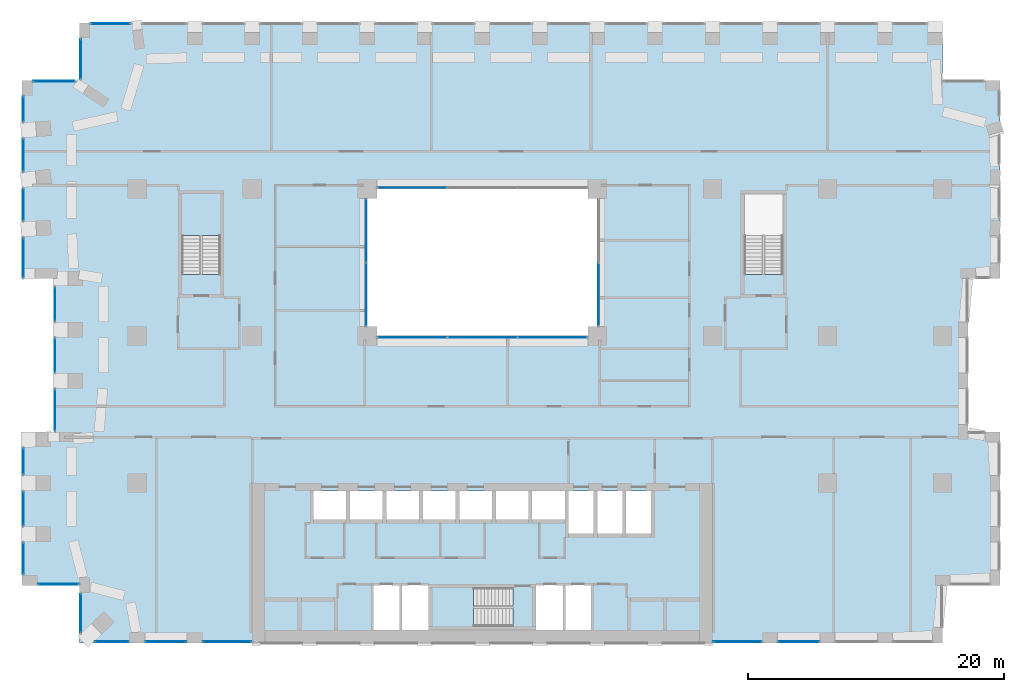
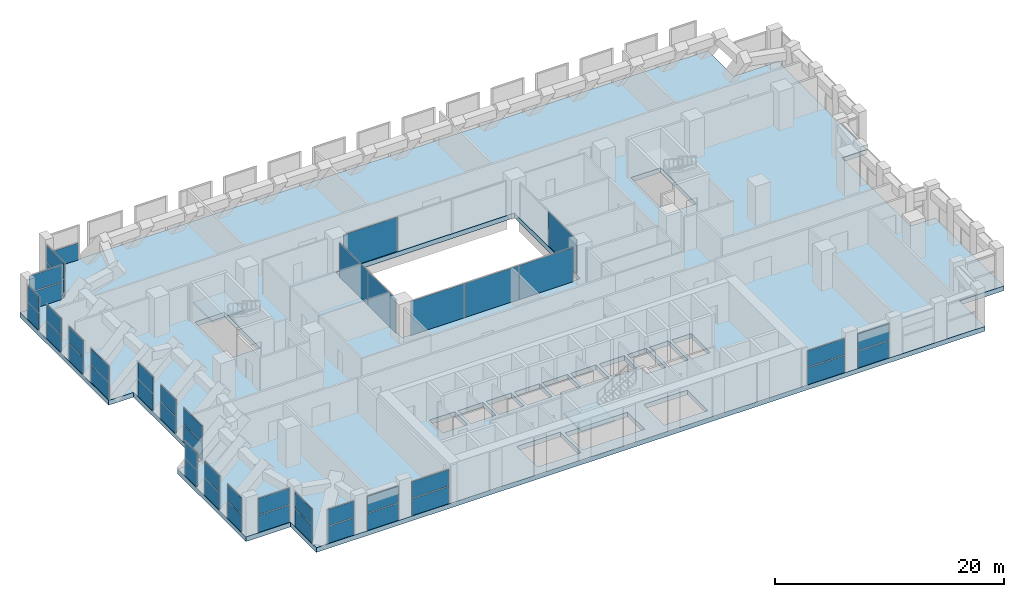
# One storey, part 12 of 20: 46 plates, 3 slabs, 26 elements without a shape of their own.
"""IFC4 building model written with IfcOpenShell, lengths in metres."""

from ifc_helpers import new_model, si_unit, direction, frame, origin, origin_2d, place, context, subcontext, project, spatial, polyline, rectangle, outline, extrude, material, layer, layer_set, type_object, element, aggregate, save


model = new_model("IFC4")

# Units and contexts
model_context = context("Model", 3, precision=1e-05, world=origin(), true_north=direction((0.0, 1.0)))
body_context = subcontext(model_context, "Body", "Model", "MODEL_VIEW")
ifc_project = project(units=[si_unit("LENGTHUNIT", "METRE"), si_unit("AREAUNIT", "SQUARE_METRE"), si_unit("VOLUMEUNIT", "CUBIC_METRE"), si_unit("PLANEANGLEUNIT", "RADIAN"), si_unit("MASSUNIT", "GRAM", prefix="KILO")], contexts=[model_context])

# Site, building, storey
site_placement = place(None, origin())
site = spatial("IfcSite", under=ifc_project, at=site_placement, CompositionType="ELEMENT")
building_placement = place(site_placement, origin())
building = spatial("IfcBuilding", under=site, at=building_placement, Name="Brigalow Station Residences", CompositionType="ELEMENT")
storey_placement = place(building_placement, frame((0.0, 0.0, 73.050048828125)))
storey = spatial("IfcBuildingStorey", under=building, at=storey_placement, Name="L21", CompositionType="ELEMENT", Elevation=73.050048828125)

# Curtain wall, plates
ifc_material_1 = material(Name="Aluminium", Category="aluminium")
ifc_layer_1 = layer(ifc_material_1, 0.14990234375)
ifc_layer_set_1 = layer_set([ifc_layer_1], Name="ATRIUM FIRE-RATED GLAZING CURTAIN WALL")
curtain_wall_type_1 = type_object("IfcCurtainWallType", Name="ATRIUM FIRE-RATED GLAZING CURTAIN WALL", PredefinedType="NOTDEFINED", material=ifc_layer_set_1)
curtain_wall_1_placement = place(storey_placement, origin())
curtain_wall_1 = element("IfcCurtainWall", 1, at=curtain_wall_1_placement, inside=storey, type_object=curtain_wall_type_1, Name="L21/cw/atrium-S", PredefinedType="NOTDEFINED")
ifc_material_2 = material(Name="Fire-resisting laminated glazing, FRL -/60/-", Category="glass")
ifc_layer_2 = layer(ifc_material_2, 0.031982421875)
ifc_layer_set_2 = layer_set([ifc_layer_2], Name="ATRIUM FIRE-RATED GLAZING PANEL 32")
plate_type_1 = type_object("IfcPlateType", Name="ATRIUM FIRE-RATED GLAZING PANEL 32", PredefinedType="CURTAIN_PANEL", material=ifc_layer_set_2)
plate_1_placement = place(storey_placement, frame((30.514892578125, 23.89990234375, 0.0), z_axis=(0.0, 0.0, 1.0), x_axis=(1.0, 0.0, 0.0)))
plate_1 = element("IfcPlate", 2, at=plate_1_placement, type_object=plate_type_1, Name="L21/cw/atrium-S/P00-00", PredefinedType="CURTAIN_PANEL", context=body_context, shape_type="SweptSolid", body=[
    extrude(rectangle(XDim=5.409912109375, YDim=0.031982421875, at=origin_2d()), origin(), (0.0, 0.0, 1.0), 3.639892578125),
])
plate_2_placement = place(storey_placement, frame((36.0, 23.89990234375, 0.0), z_axis=(0.0, 0.0, 1.0), x_axis=(1.0, 0.0, 0.0)))
plate_2 = element("IfcPlate", 3, at=plate_2_placement, type_object=plate_type_1, Name="L21/cw/atrium-S/P01-00", PredefinedType="CURTAIN_PANEL", context=body_context, shape_type="SweptSolid", body=[
    extrude(rectangle(XDim=5.43994140625, YDim=0.031982421875, at=origin_2d()), origin(), (0.0, 0.0, 1.0), 3.639892578125),
])
plate_3_placement = place(storey_placement, frame((41.485107421875, 23.89990234375, 0.0), z_axis=(0.0, 0.0, 1.0), x_axis=(1.0, 0.0, 0.0)))
plate_3 = element("IfcPlate", 4, at=plate_3_placement, type_object=plate_type_1, Name="L21/cw/atrium-S/P02-00", PredefinedType="CURTAIN_PANEL", context=body_context, shape_type="SweptSolid", body=[
    extrude(rectangle(XDim=5.409912109375, YDim=0.031982421875, at=origin_2d()), origin(), (0.0, 0.0, 1.0), 3.639892578125),
])
aggregate(curtain_wall_1, [plate_1, plate_2, plate_3])

# Curtain wall, plate
curtain_wall_2_placement = place(storey_placement, origin())
curtain_wall_2 = element("IfcCurtainWall", 5, at=curtain_wall_2_placement, inside=storey, type_object=curtain_wall_type_1, Name="L21/cw/atrium-E", PredefinedType="NOTDEFINED")
plate_4_placement = place(storey_placement, frame((45.10009765625, 27.264892578125, 0.0), z_axis=(0.0, 0.0, 1.0), x_axis=(0.0, 1.0, 0.0)))
plate_4 = element("IfcPlate", 6, at=plate_4_placement, type_object=plate_type_1, Name="L21/cw/atrium-E/P00-00", PredefinedType="CURTAIN_PANEL", context=body_context, shape_type="SweptSolid", body=[
    extrude(rectangle(XDim=4.909912109375, YDim=0.031982421875, at=origin_2d()), origin(), (0.0, 0.0, 1.0), 3.639892578125),
])
aggregate(curtain_wall_2, [plate_4])

curtain_wall_3_placement = place(storey_placement, origin())
curtain_wall_3 = element("IfcCurtainWall", 7, at=curtain_wall_3_placement, inside=storey, type_object=curtain_wall_type_1, Name="L21/cw/atrium-N", PredefinedType="NOTDEFINED")
plate_5_placement = place(storey_placement, frame((30.514892578125, 35.60009765625, 0.0), z_axis=(0.0, 0.0, 1.0), x_axis=(-1.0, 0.0, 0.0)))
plate_5 = element("IfcPlate", 8, at=plate_5_placement, type_object=plate_type_1, Name="L21/cw/atrium-N/P02-00", PredefinedType="CURTAIN_PANEL", context=body_context, shape_type="SweptSolid", body=[
    extrude(rectangle(XDim=5.409912109375, YDim=0.031982421875, at=origin_2d()), origin(), (0.0, 0.0, 1.0), 3.639892578125),
])
aggregate(curtain_wall_3, [plate_5])

# Curtain wall, plates
curtain_wall_4_placement = place(storey_placement, origin())
curtain_wall_4 = element("IfcCurtainWall", 9, at=curtain_wall_4_placement, inside=storey, type_object=curtain_wall_type_1, Name="L21/cw/atrium-W", PredefinedType="NOTDEFINED")
plate_6_placement = place(storey_placement, frame((26.89990234375, 32.235107421875, 0.0), z_axis=(0.0, 0.0, 1.0), x_axis=(0.0, -1.0, 0.0)))
plate_6 = element("IfcPlate", 10, at=plate_6_placement, type_object=plate_type_1, Name="L21/cw/atrium-W/P00-00", PredefinedType="CURTAIN_PANEL", context=body_context, shape_type="SweptSolid", body=[
    extrude(rectangle(XDim=4.909912109375, YDim=0.031982421875, at=origin_2d()), origin(), (0.0, 0.0, 1.0), 3.639892578125),
])
plate_7_placement = place(storey_placement, frame((26.89990234375, 27.264892578125, 0.0), z_axis=(0.0, 0.0, 1.0), x_axis=(0.0, -1.0, 0.0)))
plate_7 = element("IfcPlate", 11, at=plate_7_placement, type_object=plate_type_1, Name="L21/cw/atrium-W/P01-00", PredefinedType="CURTAIN_PANEL", context=body_context, shape_type="SweptSolid", body=[
    extrude(rectangle(XDim=4.909912109375, YDim=0.031982421875, at=origin_2d()), origin(), (0.0, 0.0, 1.0), 3.639892578125),
])
aggregate(curtain_wall_4, [plate_6, plate_7])

# Slab
ifc_material_3 = material(Name="Concrete C50", Category="concrete")
ifc_layer_3 = layer(ifc_material_3, 0.5)
ifc_layer_set_3 = layer_set([ifc_layer_3], Name="POST-TENSIONED REFUGE PLATE 500 C50")
slab_type_1 = type_object("IfcSlabType", Name="POST-TENSIONED REFUGE PLATE 500 C50", PredefinedType="FLOOR", material=ifc_layer_set_3)
slab_1_placement = place(storey_placement, frame((0.0, 0.0, -0.5)))
element("IfcSlab", 12, at=slab_1_placement, inside=storey, type_object=slab_type_1, Name="FLOOR SLAB L21", PredefinedType="FLOOR", context=body_context, shape_type="SweptSolid", body=[
    extrude(outline(polyline([(4.5, 0.0), (72.0, 0.0), (72.0, 4.5), (76.5, 4.5), (76.5, 16.5), (74.0, 16.5), (74.0, 28.5), (76.5, 28.5), (76.5, 44.0), (72.0, 44.0), (72.0, 48.5), (4.5, 48.5), (4.5, 44.0), (0.0, 44.0), (0.0, 28.5), (2.5, 28.5), (2.5, 16.5), (0.0, 16.5), (0.0, 4.5), (4.5, 4.5), (4.5, 0.0)]), holes=[polyline([(15.4951171875, 35.094970703125), (15.4951171875, 28.804931640625), (12.5048828125, 28.804931640625), (12.5048828125, 35.094970703125), (15.4951171875, 35.094970703125)]), polyline([(22.800048828125, 11.89990234375), (25.35009765625, 11.89990234375), (25.35009765625, 9.64990234375), (22.800048828125, 9.64990234375), (22.800048828125, 11.89990234375)]), polyline([(25.64990234375, 11.89990234375), (28.199951171875, 11.89990234375), (28.199951171875, 9.64990234375), (25.64990234375, 9.64990234375), (25.64990234375, 11.89990234375)]), polyline([(28.5, 11.89990234375), (31.050048828125, 11.89990234375), (31.050048828125, 9.64990234375), (28.5, 9.64990234375), (28.5, 11.89990234375)]), polyline([(29.60009765625, 1.0), (27.39990234375, 1.0), (27.39990234375, 4.60009765625), (29.60009765625, 4.60009765625), (31.800048828125, 4.60009765625), (31.800048828125, 1.0), (29.60009765625, 1.0)]), polyline([(31.35009765625, 11.89990234375), (33.89990234375, 11.89990234375), (33.89990234375, 9.64990234375), (31.35009765625, 9.64990234375), (31.35009765625, 11.89990234375)]), polyline([(32.10498046875, 4.294921875), (38.39501953125, 4.294921875), (38.39501953125, 1.304931640625), (32.10498046875, 1.304931640625), (32.10498046875, 4.294921875)]), polyline([(36.75, 11.89990234375), (36.75, 9.64990234375), (34.199951171875, 9.64990234375), (34.199951171875, 11.89990234375), (36.75, 11.89990234375)]), polyline([(37.050048828125, 11.89990234375), (39.60009765625, 11.89990234375), (39.60009765625, 9.64990234375), (37.050048828125, 9.64990234375), (37.050048828125, 11.89990234375)]), polyline([(39.89990234375, 11.89990234375), (42.449951171875, 11.89990234375), (42.449951171875, 9.64990234375), (39.89990234375, 9.64990234375), (39.89990234375, 11.89990234375)]), polyline([(42.39990234375, 1.0), (40.199951171875, 1.0), (40.199951171875, 4.60009765625), (42.39990234375, 4.60009765625), (44.60009765625, 4.60009765625), (44.60009765625, 1.0), (42.39990234375, 1.0)]), polyline([(42.75, 11.89990234375), (44.699951171875, 11.89990234375), (44.699951171875, 8.550048828125), (42.75, 8.550048828125), (42.75, 11.89990234375)]), polyline([(45.0, 11.89990234375), (46.949951171875, 11.89990234375), (46.949951171875, 8.550048828125), (45.0, 8.550048828125), (45.0, 11.89990234375)]), polyline([(45.0, 35.5), (45.0, 24.0), (27.0, 24.0), (27.0, 35.5), (45.0, 35.5)]), polyline([(47.25, 11.89990234375), (49.199951171875, 11.89990234375), (49.199951171875, 8.550048828125), (47.25, 8.550048828125), (47.25, 11.89990234375)]), polyline([(59.4951171875, 35.094970703125), (59.4951171875, 28.804931640625), (56.5048828125, 28.804931640625), (56.5048828125, 35.094970703125), (59.4951171875, 35.094970703125)])]), origin(), (0.0, 0.0, 1.0), 0.5),
])

# Curtain wall, plates
ifc_material_4 = material(Name="Aluminium", Category="aluminium")
ifc_layer_4 = layer(ifc_material_4, 0.199951171875)
ifc_layer_set_4 = layer_set([ifc_layer_4], Name="REFUGE FLOOR LOUVRE CURTAIN WALL")
curtain_wall_type_2 = type_object("IfcCurtainWallType", Name="REFUGE FLOOR LOUVRE CURTAIN WALL", PredefinedType="NOTDEFINED", material=ifc_layer_set_4)
curtain_wall_5_placement = place(storey_placement, origin())
curtain_wall_5 = element("IfcCurtainWall", 13, at=curtain_wall_5_placement, inside=storey, type_object=curtain_wall_type_2, Name="L21/cw/louvre-W-L21-1-1", PredefinedType="NOTDEFINED")
ifc_material_5 = material(Name="Aluminium louvre blade", Category="aluminium")
ifc_layer_5 = layer(ifc_material_5, 0.070068359375)
ifc_layer_set_5 = layer_set([ifc_layer_5], Name="REFUGE FLOOR LOUVRE PANEL 70")
plate_type_2 = type_object("IfcPlateType", Name="REFUGE FLOOR LOUVRE PANEL 70", PredefinedType="CURTAIN_PANEL", material=ifc_layer_set_5)
plate_8_placement = place(storey_placement, frame((7.0283203125, 0.074951171875, 0.0), z_axis=(0.0, 0.0, 1.0), x_axis=(1.0, 0.0, 0.0)))
plate_8 = element("IfcPlate", 14, at=plate_8_placement, type_object=plate_type_2, Name="L21/cw/louvre-W-L21-1-1/P00-00", PredefinedType="CURTAIN_PANEL", context=body_context, shape_type="SweptSolid", body=[
    extrude(rectangle(XDim=2.583251953125, YDim=0.070068359375, at=origin_2d()), origin(), (0.0, 0.0, 1.0), 1.81005859375),
])
plate_9_placement = place(storey_placement, frame((7.0283203125, 0.074951171875, 1.889892578125), z_axis=(0.0, 0.0, 1.0), x_axis=(1.0, 0.0, 0.0)))
plate_9 = element("IfcPlate", 15, at=plate_9_placement, type_object=plate_type_2, Name="L21/cw/louvre-W-L21-1-1/P00-01", PredefinedType="CURTAIN_PANEL", context=body_context, shape_type="SweptSolid", body=[
    extrude(rectangle(XDim=2.583251953125, YDim=0.070068359375, at=origin_2d()), origin(), (0.0, 0.0, 1.0), 1.72998046875),
])
aggregate(curtain_wall_5, [plate_8, plate_9])

curtain_wall_6_placement = place(storey_placement, origin())
curtain_wall_6 = element("IfcCurtainWall", 16, at=curtain_wall_6_placement, inside=storey, type_object=curtain_wall_type_2, Name="L21/cw/louvre-W-L21-1-2", PredefinedType="NOTDEFINED")
plate_10_placement = place(storey_placement, frame((11.25, 0.074951171875, 0.0), z_axis=(0.0, 0.0, 1.0), x_axis=(1.0, 0.0, 0.0)))
plate_10 = element("IfcPlate", 17, at=plate_10_placement, type_object=plate_type_2, Name="L21/cw/louvre-W-L21-1-2/P00-00", PredefinedType="CURTAIN_PANEL", context=body_context, shape_type="SweptSolid", body=[
    extrude(rectangle(XDim=3.139892578125, YDim=0.070068359375, at=origin_2d()), origin(), (0.0, 0.0, 1.0), 1.81005859375),
])
plate_11_placement = place(storey_placement, frame((11.25, 0.074951171875, 1.889892578125), z_axis=(0.0, 0.0, 1.0), x_axis=(1.0, 0.0, 0.0)))
plate_11 = element("IfcPlate", 18, at=plate_11_placement, type_object=plate_type_2, Name="L21/cw/louvre-W-L21-1-2/P00-01", PredefinedType="CURTAIN_PANEL", context=body_context, shape_type="SweptSolid", body=[
    extrude(rectangle(XDim=3.139892578125, YDim=0.070068359375, at=origin_2d()), origin(), (0.0, 0.0, 1.0), 1.72998046875),
])
aggregate(curtain_wall_6, [plate_10, plate_11])

curtain_wall_7_placement = place(storey_placement, origin())
curtain_wall_7 = element("IfcCurtainWall", 19, at=curtain_wall_7_placement, inside=storey, type_object=curtain_wall_type_2, Name="L21/cw/louvre-W-L21-1-3", PredefinedType="NOTDEFINED")
plate_12_placement = place(storey_placement, frame((16.050048828125, 0.074951171875, 0.0), z_axis=(0.0, 0.0, 1.0), x_axis=(1.0, 0.0, 0.0)))
plate_12 = element("IfcPlate", 20, at=plate_12_placement, type_object=plate_type_2, Name="L21/cw/louvre-W-L21-1-3/P00-00", PredefinedType="CURTAIN_PANEL", context=body_context, shape_type="SweptSolid", body=[
    extrude(rectangle(XDim=3.739990234375, YDim=0.070068359375, at=origin_2d()), origin(), (0.0, 0.0, 1.0), 1.81005859375),
])
plate_13_placement = place(storey_placement, frame((16.050048828125, 0.074951171875, 1.889892578125), z_axis=(0.0, 0.0, 1.0), x_axis=(1.0, 0.0, 0.0)))
plate_13 = element("IfcPlate", 21, at=plate_13_placement, type_object=plate_type_2, Name="L21/cw/louvre-W-L21-1-3/P00-01", PredefinedType="CURTAIN_PANEL", context=body_context, shape_type="SweptSolid", body=[
    extrude(rectangle(XDim=3.739990234375, YDim=0.070068359375, at=origin_2d()), origin(), (0.0, 0.0, 1.0), 1.72998046875),
])
aggregate(curtain_wall_7, [plate_12, plate_13])

curtain_wall_8_placement = place(storey_placement, origin())
curtain_wall_8 = element("IfcCurtainWall", 22, at=curtain_wall_8_placement, inside=storey, type_object=curtain_wall_type_2, Name="L21/cw/louvre-W-L21-5-4", PredefinedType="NOTDEFINED")
plate_14_placement = place(storey_placement, frame((55.949951171875, 0.074951171875, 0.0), z_axis=(0.0, 0.0, 1.0), x_axis=(1.0, 0.0, 0.0)))
plate_14 = element("IfcPlate", 23, at=plate_14_placement, type_object=plate_type_2, Name="L21/cw/louvre-W-L21-5-4/P00-00", PredefinedType="CURTAIN_PANEL", context=body_context, shape_type="SweptSolid", body=[
    extrude(rectangle(XDim=3.739990234375, YDim=0.070068359375, at=origin_2d()), origin(), (0.0, 0.0, 1.0), 1.81005859375),
])
plate_15_placement = place(storey_placement, frame((55.949951171875, 0.074951171875, 1.889892578125), z_axis=(0.0, 0.0, 1.0), x_axis=(1.0, 0.0, 0.0)))
plate_15 = element("IfcPlate", 24, at=plate_15_placement, type_object=plate_type_2, Name="L21/cw/louvre-W-L21-5-4/P00-01", PredefinedType="CURTAIN_PANEL", context=body_context, shape_type="SweptSolid", body=[
    extrude(rectangle(XDim=3.739990234375, YDim=0.070068359375, at=origin_2d()), origin(), (0.0, 0.0, 1.0), 1.72998046875),
])
aggregate(curtain_wall_8, [plate_14, plate_15])

curtain_wall_9_placement = place(storey_placement, origin())
curtain_wall_9 = element("IfcCurtainWall", 25, at=curtain_wall_9_placement, inside=storey, type_object=curtain_wall_type_2, Name="L21/cw/louvre-W-L21-5-5", PredefinedType="NOTDEFINED")
plate_16_placement = place(storey_placement, frame((60.75, 0.074951171875, 0.0), z_axis=(0.0, 0.0, 1.0), x_axis=(1.0, 0.0, 0.0)))
plate_16 = element("IfcPlate", 26, at=plate_16_placement, type_object=plate_type_2, Name="L21/cw/louvre-W-L21-5-5/P00-00", PredefinedType="CURTAIN_PANEL", context=body_context, shape_type="SweptSolid", body=[
    extrude(rectangle(XDim=3.139892578125, YDim=0.070068359375, at=origin_2d()), origin(), (0.0, 0.0, 1.0), 1.81005859375),
])
plate_17_placement = place(storey_placement, frame((60.75, 0.074951171875, 1.889892578125), z_axis=(0.0, 0.0, 1.0), x_axis=(1.0, 0.0, 0.0)))
plate_17 = element("IfcPlate", 27, at=plate_17_placement, type_object=plate_type_2, Name="L21/cw/louvre-W-L21-5-5/P00-01", PredefinedType="CURTAIN_PANEL", context=body_context, shape_type="SweptSolid", body=[
    extrude(rectangle(XDim=3.139892578125, YDim=0.070068359375, at=origin_2d()), origin(), (0.0, 0.0, 1.0), 1.72998046875),
])
aggregate(curtain_wall_9, [plate_16, plate_17])

# Curtain wall, plate
curtain_wall_10_placement = place(storey_placement, origin())
curtain_wall_10 = element("IfcCurtainWall", 28, at=curtain_wall_10_placement, inside=storey, type_object=curtain_wall_type_2, Name="L21/cw/louvre-W-L21-25-37", PredefinedType="NOTDEFINED")
plate_18_placement = place(storey_placement, frame((6.919189453125, 48.425048828125, 0.0), z_axis=(0.0, 0.0, 1.0), x_axis=(-1.0, 0.0, 0.0)))
plate_18 = element("IfcPlate", 29, at=plate_18_placement, type_object=plate_type_2, Name="L21/cw/louvre-W-L21-25-37/P00-00", PredefinedType="CURTAIN_PANEL", context=body_context, shape_type="SweptSolid", body=[
    extrude(rectangle(XDim=3.078369140625, YDim=0.070068359375, at=origin_2d()), origin(), (0.0, 0.0, 1.0), 1.81005859375),
])
aggregate(curtain_wall_10, [plate_18])

# Curtain wall, plates
curtain_wall_11_placement = place(storey_placement, origin())
curtain_wall_11 = element("IfcCurtainWall", 30, at=curtain_wall_11_placement, inside=storey, type_object=curtain_wall_type_2, Name="L21/cw/louvre-W-L21-40-38", PredefinedType="NOTDEFINED")
plate_19_placement = place(storey_placement, frame((4.574951171875, 45.677001953125, 0.0), z_axis=(0.0, 0.0, 1.0), x_axis=(0.0, -1.0, 0.0)))
plate_19 = element("IfcPlate", 31, at=plate_19_placement, type_object=plate_type_2, Name="L21/cw/louvre-W-L21-40-38/P00-00", PredefinedType="CURTAIN_PANEL", context=body_context, shape_type="SweptSolid", body=[
    extrude(rectangle(XDim=3.086181640625, YDim=0.070068359375, at=origin_2d()), origin(), (0.0, 0.0, 1.0), 1.81005859375),
])
plate_20_placement = place(storey_placement, frame((4.574951171875, 45.677001953125, 1.889892578125), z_axis=(0.0, 0.0, 1.0), x_axis=(0.0, -1.0, 0.0)))
plate_20 = element("IfcPlate", 32, at=plate_20_placement, type_object=plate_type_2, Name="L21/cw/louvre-W-L21-40-38/P00-01", PredefinedType="CURTAIN_PANEL", context=body_context, shape_type="SweptSolid", body=[
    extrude(rectangle(XDim=3.086181640625, YDim=0.070068359375, at=origin_2d()), origin(), (0.0, 0.0, 1.0), 1.72998046875),
])
aggregate(curtain_wall_11, [plate_19, plate_20])

curtain_wall_12_placement = place(storey_placement, origin())
curtain_wall_12 = element("IfcCurtainWall", 33, at=curtain_wall_12_placement, inside=storey, type_object=curtain_wall_type_2, Name="L21/cw/louvre-W-L21-41-39", PredefinedType="NOTDEFINED")
plate_21_placement = place(storey_placement, frame((2.505615234375, 43.925048828125, 0.0), z_axis=(0.0, 0.0, 1.0), x_axis=(-1.0, 0.0, 0.0)))
plate_21 = element("IfcPlate", 34, at=plate_21_placement, type_object=plate_type_2, Name="L21/cw/louvre-W-L21-41-39/P00-00", PredefinedType="CURTAIN_PANEL", context=body_context, shape_type="SweptSolid", body=[
    extrude(rectangle(XDim=3.251220703125, YDim=0.070068359375, at=origin_2d()), origin(), (0.0, 0.0, 1.0), 1.81005859375),
])
plate_22_placement = place(storey_placement, frame((2.505615234375, 43.925048828125, 1.889892578125), z_axis=(0.0, 0.0, 1.0), x_axis=(-1.0, 0.0, 0.0)))
plate_22 = element("IfcPlate", 35, at=plate_22_placement, type_object=plate_type_2, Name="L21/cw/louvre-W-L21-41-39/P00-01", PredefinedType="CURTAIN_PANEL", context=body_context, shape_type="SweptSolid", body=[
    extrude(rectangle(XDim=3.251220703125, YDim=0.070068359375, at=origin_2d()), origin(), (0.0, 0.0, 1.0), 1.72998046875),
])
aggregate(curtain_wall_12, [plate_21, plate_22])

curtain_wall_13_placement = place(storey_placement, origin())
curtain_wall_13 = element("IfcCurtainWall", 36, at=curtain_wall_13_placement, inside=storey, type_object=curtain_wall_type_2, Name="L21/cw/louvre-W-L21-42-40", PredefinedType="NOTDEFINED")
plate_23_placement = place(storey_placement, frame((0.074951171875, 41.761474609375, 0.0), z_axis=(0.0, 0.0, 1.0), x_axis=(0.0, -1.0, 0.0)))
plate_23 = element("IfcPlate", 37, at=plate_23_placement, type_object=plate_type_2, Name="L21/cw/louvre-W-L21-42-40/P00-00", PredefinedType="CURTAIN_PANEL", context=body_context, shape_type="SweptSolid", body=[
    extrude(rectangle(XDim=1.9169921875, YDim=0.070068359375, at=origin_2d()), origin(), (0.0, 0.0, 1.0), 1.81005859375),
])
plate_24_placement = place(storey_placement, frame((0.074951171875, 41.761474609375, 1.889892578125), z_axis=(0.0, 0.0, 1.0), x_axis=(0.0, -1.0, 0.0)))
plate_24 = element("IfcPlate", 38, at=plate_24_placement, type_object=plate_type_2, Name="L21/cw/louvre-W-L21-42-40/P00-01", PredefinedType="CURTAIN_PANEL", context=body_context, shape_type="SweptSolid", body=[
    extrude(rectangle(XDim=1.9169921875, YDim=0.070068359375, at=origin_2d()), origin(), (0.0, 0.0, 1.0), 1.72998046875),
])
aggregate(curtain_wall_13, [plate_23, plate_24])

curtain_wall_14_placement = place(storey_placement, origin())
curtain_wall_14 = element("IfcCurtainWall", 39, at=curtain_wall_14_placement, inside=storey, type_object=curtain_wall_type_2, Name="L21/cw/louvre-W-L21-42-41", PredefinedType="NOTDEFINED")
plate_25_placement = place(storey_placement, frame((0.074951171875, 38.15625, 0.0), z_axis=(0.0, 0.0, 1.0), x_axis=(0.0, -1.0, 0.0)))
plate_25 = element("IfcPlate", 40, at=plate_25_placement, type_object=plate_type_2, Name="L21/cw/louvre-W-L21-42-41/P00-00", PredefinedType="CURTAIN_PANEL", context=body_context, shape_type="SweptSolid", body=[
    extrude(rectangle(XDim=2.48681640625, YDim=0.070068359375, at=origin_2d()), origin(), (0.0, 0.0, 1.0), 1.81005859375),
])
plate_26_placement = place(storey_placement, frame((0.074951171875, 38.15625, 1.889892578125), z_axis=(0.0, 0.0, 1.0), x_axis=(0.0, -1.0, 0.0)))
plate_26 = element("IfcPlate", 41, at=plate_26_placement, type_object=plate_type_2, Name="L21/cw/louvre-W-L21-42-41/P00-01", PredefinedType="CURTAIN_PANEL", context=body_context, shape_type="SweptSolid", body=[
    extrude(rectangle(XDim=2.48681640625, YDim=0.070068359375, at=origin_2d()), origin(), (0.0, 0.0, 1.0), 1.72998046875),
])
aggregate(curtain_wall_14, [plate_25, plate_26])

curtain_wall_15_placement = place(storey_placement, origin())
curtain_wall_15 = element("IfcCurtainWall", 42, at=curtain_wall_15_placement, inside=storey, type_object=curtain_wall_type_2, Name="L21/cw/louvre-W-L21-42-42", PredefinedType="NOTDEFINED")
plate_27_placement = place(storey_placement, frame((0.074951171875, 34.27880859375, 0.0), z_axis=(0.0, 0.0, 1.0), x_axis=(0.0, -1.0, 0.0)))
plate_27 = element("IfcPlate", 43, at=plate_27_placement, type_object=plate_type_2, Name="L21/cw/louvre-W-L21-42-42/P00-00", PredefinedType="CURTAIN_PANEL", context=body_context, shape_type="SweptSolid", body=[
    extrude(rectangle(XDim=2.447265625, YDim=0.070068359375, at=origin_2d()), origin(), (0.0, 0.0, 1.0), 1.81005859375),
])
plate_28_placement = place(storey_placement, frame((0.074951171875, 34.27880859375, 1.889892578125), z_axis=(0.0, 0.0, 1.0), x_axis=(0.0, -1.0, 0.0)))
plate_28 = element("IfcPlate", 44, at=plate_28_placement, type_object=plate_type_2, Name="L21/cw/louvre-W-L21-42-42/P00-01", PredefinedType="CURTAIN_PANEL", context=body_context, shape_type="SweptSolid", body=[
    extrude(rectangle(XDim=2.447265625, YDim=0.070068359375, at=origin_2d()), origin(), (0.0, 0.0, 1.0), 1.72998046875),
])
aggregate(curtain_wall_15, [plate_27, plate_28])

curtain_wall_16_placement = place(storey_placement, origin())
curtain_wall_16 = element("IfcCurtainWall", 45, at=curtain_wall_16_placement, inside=storey, type_object=curtain_wall_type_2, Name="L21/cw/louvre-W-L21-42-43", PredefinedType="NOTDEFINED")
plate_29_placement = place(storey_placement, frame((0.074951171875, 30.1162109375, 0.0), z_axis=(0.0, 0.0, 1.0), x_axis=(0.0, -1.0, 0.0)))
plate_29 = element("IfcPlate", 46, at=plate_29_placement, type_object=plate_type_2, Name="L21/cw/louvre-W-L21-42-43/P00-00", PredefinedType="CURTAIN_PANEL", context=body_context, shape_type="SweptSolid", body=[
    extrude(rectangle(XDim=3.072509765625, YDim=0.070068359375, at=origin_2d()), origin(), (0.0, 0.0, 1.0), 1.81005859375),
])
plate_30_placement = place(storey_placement, frame((0.074951171875, 30.1162109375, 1.889892578125), z_axis=(0.0, 0.0, 1.0), x_axis=(0.0, -1.0, 0.0)))
plate_30 = element("IfcPlate", 47, at=plate_30_placement, type_object=plate_type_2, Name="L21/cw/louvre-W-L21-42-43/P00-01", PredefinedType="CURTAIN_PANEL", context=body_context, shape_type="SweptSolid", body=[
    extrude(rectangle(XDim=3.072509765625, YDim=0.070068359375, at=origin_2d()), origin(), (0.0, 0.0, 1.0), 1.72998046875),
])
aggregate(curtain_wall_16, [plate_29, plate_30])

curtain_wall_17_placement = place(storey_placement, origin())
curtain_wall_17 = element("IfcCurtainWall", 48, at=curtain_wall_17_placement, inside=storey, type_object=curtain_wall_type_2, Name="L21/cw/louvre-W-L21-47-44", PredefinedType="NOTDEFINED")
plate_31_placement = place(storey_placement, frame((2.574951171875, 26.5, 0.0), z_axis=(0.0, 0.0, 1.0), x_axis=(0.0, -1.0, 0.0)))
plate_31 = element("IfcPlate", 49, at=plate_31_placement, type_object=plate_type_2, Name="L21/cw/louvre-W-L21-47-44/P00-00", PredefinedType="CURTAIN_PANEL", context=body_context, shape_type="SweptSolid", body=[
    extrude(rectangle(XDim=2.60009765625, YDim=0.070068359375, at=origin_2d()), origin(), (0.0, 0.0, 1.0), 1.81005859375),
])
plate_32_placement = place(storey_placement, frame((2.574951171875, 26.5, 1.889892578125), z_axis=(0.0, 0.0, 1.0), x_axis=(0.0, -1.0, 0.0)))
plate_32 = element("IfcPlate", 50, at=plate_32_placement, type_object=plate_type_2, Name="L21/cw/louvre-W-L21-47-44/P00-01", PredefinedType="CURTAIN_PANEL", context=body_context, shape_type="SweptSolid", body=[
    extrude(rectangle(XDim=2.60009765625, YDim=0.070068359375, at=origin_2d()), origin(), (0.0, 0.0, 1.0), 1.72998046875),
])
aggregate(curtain_wall_17, [plate_31, plate_32])

curtain_wall_18_placement = place(storey_placement, origin())
curtain_wall_18 = element("IfcCurtainWall", 51, at=curtain_wall_18_placement, inside=storey, type_object=curtain_wall_type_2, Name="L21/cw/louvre-W-L21-47-45", PredefinedType="NOTDEFINED")
plate_33_placement = place(storey_placement, frame((2.574951171875, 22.5, 0.0), z_axis=(0.0, 0.0, 1.0), x_axis=(0.0, -1.0, 0.0)))
plate_33 = element("IfcPlate", 52, at=plate_33_placement, type_object=plate_type_2, Name="L21/cw/louvre-W-L21-47-45/P00-00", PredefinedType="CURTAIN_PANEL", context=body_context, shape_type="SweptSolid", body=[
    extrude(rectangle(XDim=2.60009765625, YDim=0.070068359375, at=origin_2d()), origin(), (0.0, 0.0, 1.0), 1.81005859375),
])
plate_34_placement = place(storey_placement, frame((2.574951171875, 22.5, 1.889892578125), z_axis=(0.0, 0.0, 1.0), x_axis=(0.0, -1.0, 0.0)))
plate_34 = element("IfcPlate", 53, at=plate_34_placement, type_object=plate_type_2, Name="L21/cw/louvre-W-L21-47-45/P00-01", PredefinedType="CURTAIN_PANEL", context=body_context, shape_type="SweptSolid", body=[
    extrude(rectangle(XDim=2.60009765625, YDim=0.070068359375, at=origin_2d()), origin(), (0.0, 0.0, 1.0), 1.72998046875),
])
aggregate(curtain_wall_18, [plate_33, plate_34])

curtain_wall_19_placement = place(storey_placement, origin())
curtain_wall_19 = element("IfcCurtainWall", 54, at=curtain_wall_19_placement, inside=storey, type_object=curtain_wall_type_2, Name="L21/cw/louvre-W-L21-47-46", PredefinedType="NOTDEFINED")
plate_35_placement = place(storey_placement, frame((2.574951171875, 18.212158203125, 0.0), z_axis=(0.0, 0.0, 1.0), x_axis=(0.0, -1.0, 0.0)))
plate_35 = element("IfcPlate", 55, at=plate_35_placement, type_object=plate_type_2, Name="L21/cw/louvre-W-L21-47-46/P00-00", PredefinedType="CURTAIN_PANEL", context=body_context, shape_type="SweptSolid", body=[
    extrude(rectangle(XDim=3.17578125, YDim=0.070068359375, at=origin_2d()), origin(), (0.0, 0.0, 1.0), 1.81005859375),
])
plate_36_placement = place(storey_placement, frame((2.574951171875, 18.212158203125, 1.889892578125), z_axis=(0.0, 0.0, 1.0), x_axis=(0.0, -1.0, 0.0)))
plate_36 = element("IfcPlate", 56, at=plate_36_placement, type_object=plate_type_2, Name="L21/cw/louvre-W-L21-47-46/P00-01", PredefinedType="CURTAIN_PANEL", context=body_context, shape_type="SweptSolid", body=[
    extrude(rectangle(XDim=3.17578125, YDim=0.070068359375, at=origin_2d()), origin(), (0.0, 0.0, 1.0), 1.72998046875),
])
aggregate(curtain_wall_19, [plate_35, plate_36])

curtain_wall_20_placement = place(storey_placement, origin())
curtain_wall_20 = element("IfcCurtainWall", 57, at=curtain_wall_20_placement, inside=storey, type_object=curtain_wall_type_2, Name="L21/cw/louvre-W-L21-51-47", PredefinedType="NOTDEFINED")
plate_37_placement = place(storey_placement, frame((0.074951171875, 14.197998046875, 0.0), z_axis=(0.0, 0.0, 1.0), x_axis=(0.0, -1.0, 0.0)))
plate_37 = element("IfcPlate", 58, at=plate_37_placement, type_object=plate_type_2, Name="L21/cw/louvre-W-L21-51-47/P00-00", PredefinedType="CURTAIN_PANEL", context=body_context, shape_type="SweptSolid", body=[
    extrude(rectangle(XDim=1.996337890625, YDim=0.070068359375, at=origin_2d()), origin(), (0.0, 0.0, 1.0), 1.81005859375),
])
plate_38_placement = place(storey_placement, frame((0.074951171875, 14.197998046875, 1.889892578125), z_axis=(0.0, 0.0, 1.0), x_axis=(0.0, -1.0, 0.0)))
plate_38 = element("IfcPlate", 59, at=plate_38_placement, type_object=plate_type_2, Name="L21/cw/louvre-W-L21-51-47/P00-01", PredefinedType="CURTAIN_PANEL", context=body_context, shape_type="SweptSolid", body=[
    extrude(rectangle(XDim=1.996337890625, YDim=0.070068359375, at=origin_2d()), origin(), (0.0, 0.0, 1.0), 1.72998046875),
])
aggregate(curtain_wall_20, [plate_37, plate_38])

curtain_wall_21_placement = place(storey_placement, origin())
curtain_wall_21 = element("IfcCurtainWall", 60, at=curtain_wall_21_placement, inside=storey, type_object=curtain_wall_type_2, Name="L21/cw/louvre-W-L21-51-48", PredefinedType="NOTDEFINED")
plate_39_placement = place(storey_placement, frame((0.074951171875, 10.5, 0.0), z_axis=(0.0, 0.0, 1.0), x_axis=(0.0, -1.0, 0.0)))
plate_39 = element("IfcPlate", 61, at=plate_39_placement, type_object=plate_type_2, Name="L21/cw/louvre-W-L21-51-48/P00-00", PredefinedType="CURTAIN_PANEL", context=body_context, shape_type="SweptSolid", body=[
    extrude(rectangle(XDim=2.60009765625, YDim=0.070068359375, at=origin_2d()), origin(), (0.0, 0.0, 1.0), 1.81005859375),
])
plate_40_placement = place(storey_placement, frame((0.074951171875, 10.5, 1.889892578125), z_axis=(0.0, 0.0, 1.0), x_axis=(0.0, -1.0, 0.0)))
plate_40 = element("IfcPlate", 62, at=plate_40_placement, type_object=plate_type_2, Name="L21/cw/louvre-W-L21-51-48/P00-01", PredefinedType="CURTAIN_PANEL", context=body_context, shape_type="SweptSolid", body=[
    extrude(rectangle(XDim=2.60009765625, YDim=0.070068359375, at=origin_2d()), origin(), (0.0, 0.0, 1.0), 1.72998046875),
])
aggregate(curtain_wall_21, [plate_39, plate_40])

curtain_wall_22_placement = place(storey_placement, origin())
curtain_wall_22 = element("IfcCurtainWall", 63, at=curtain_wall_22_placement, inside=storey, type_object=curtain_wall_type_2, Name="L21/cw/louvre-W-L21-51-49", PredefinedType="NOTDEFINED")
plate_41_placement = place(storey_placement, frame((0.074951171875, 6.590087890625, 0.0), z_axis=(0.0, 0.0, 1.0), x_axis=(0.0, -1.0, 0.0)))
plate_41 = element("IfcPlate", 64, at=plate_41_placement, type_object=plate_type_2, Name="L21/cw/louvre-W-L21-51-49/P00-00", PredefinedType="CURTAIN_PANEL", context=body_context, shape_type="SweptSolid", body=[
    extrude(rectangle(XDim=2.419921875, YDim=0.070068359375, at=origin_2d()), origin(), (0.0, 0.0, 1.0), 1.81005859375),
])
plate_42_placement = place(storey_placement, frame((0.074951171875, 6.590087890625, 1.889892578125), z_axis=(0.0, 0.0, 1.0), x_axis=(0.0, -1.0, 0.0)))
plate_42 = element("IfcPlate", 65, at=plate_42_placement, type_object=plate_type_2, Name="L21/cw/louvre-W-L21-51-49/P00-01", PredefinedType="CURTAIN_PANEL", context=body_context, shape_type="SweptSolid", body=[
    extrude(rectangle(XDim=2.419921875, YDim=0.070068359375, at=origin_2d()), origin(), (0.0, 0.0, 1.0), 1.72998046875),
])
aggregate(curtain_wall_22, [plate_41, plate_42])

curtain_wall_23_placement = place(storey_placement, origin())
curtain_wall_23 = element("IfcCurtainWall", 66, at=curtain_wall_23_placement, inside=storey, type_object=curtain_wall_type_2, Name="L21/cw/louvre-W-L21-54-50", PredefinedType="NOTDEFINED")
plate_43_placement = place(storey_placement, frame((2.85009765625, 4.574951171875, 0.0), z_axis=(0.0, 0.0, 1.0), x_axis=(1.0, 0.0, 0.0)))
plate_43 = element("IfcPlate", 67, at=plate_43_placement, type_object=plate_type_2, Name="L21/cw/louvre-W-L21-54-50/P00-00", PredefinedType="CURTAIN_PANEL", context=body_context, shape_type="SweptSolid", body=[
    extrude(rectangle(XDim=3.139892578125, YDim=0.070068359375, at=origin_2d()), origin(), (0.0, 0.0, 1.0), 1.81005859375),
])
plate_44_placement = place(storey_placement, frame((2.85009765625, 4.574951171875, 1.889892578125), z_axis=(0.0, 0.0, 1.0), x_axis=(1.0, 0.0, 0.0)))
plate_44 = element("IfcPlate", 68, at=plate_44_placement, type_object=plate_type_2, Name="L21/cw/louvre-W-L21-54-50/P00-01", PredefinedType="CURTAIN_PANEL", context=body_context, shape_type="SweptSolid", body=[
    extrude(rectangle(XDim=3.139892578125, YDim=0.070068359375, at=origin_2d()), origin(), (0.0, 0.0, 1.0), 1.72998046875),
])
aggregate(curtain_wall_23, [plate_43, plate_44])

curtain_wall_24_placement = place(storey_placement, origin())
curtain_wall_24 = element("IfcCurtainWall", 69, at=curtain_wall_24_placement, inside=storey, type_object=curtain_wall_type_2, Name="L21/cw/louvre-W-L21-55-51", PredefinedType="NOTDEFINED")
plate_45_placement = place(storey_placement, frame((4.574951171875, 2.327880859375, 0.0), z_axis=(0.0, 0.0, 1.0), x_axis=(0.0, -1.0, 0.0)))
plate_45 = element("IfcPlate", 70, at=plate_45_placement, type_object=plate_type_2, Name="L21/cw/louvre-W-L21-55-51/P00-00", PredefinedType="CURTAIN_PANEL", context=body_context, shape_type="SweptSolid", body=[
    extrude(rectangle(XDim=2.984375, YDim=0.070068359375, at=origin_2d()), origin(), (0.0, 0.0, 1.0), 1.81005859375),
])
plate_46_placement = place(storey_placement, frame((4.574951171875, 2.327880859375, 1.889892578125), z_axis=(0.0, 0.0, 1.0), x_axis=(0.0, -1.0, 0.0)))
plate_46 = element("IfcPlate", 71, at=plate_46_placement, type_object=plate_type_2, Name="L21/cw/louvre-W-L21-55-51/P00-01", PredefinedType="CURTAIN_PANEL", context=body_context, shape_type="SweptSolid", body=[
    extrude(rectangle(XDim=2.984375, YDim=0.070068359375, at=origin_2d()), origin(), (0.0, 0.0, 1.0), 1.72998046875),
])
aggregate(curtain_wall_24, [plate_45, plate_46])

# Stair, slab
ifc_material_6 = material(Name="Concrete C50", Category="concrete")
stair_type = type_object("IfcStairType", Name="EXIT STAIR 1400 2 FLIGHT", PredefinedType="HALF_TURN_STAIR", material=ifc_material_6)
stair_1_placement = place(storey_placement, origin())
stair_1 = element("IfcStair", 72, at=stair_1_placement, inside=storey, type_object=stair_type, Name="EXIT STAIR S2 L21", PredefinedType="HALF_TURN_STAIR")
ifc_material_7 = material(Name="Concrete C50", Category="concrete")
ifc_layer_6 = layer(ifc_material_7, 0.199951171875)
ifc_layer_set_6 = layer_set([ifc_layer_6], Name="STAIR LANDING 200")
slab_type_2 = type_object("IfcSlabType", Name="STAIR LANDING 200", PredefinedType="LANDING", material=ifc_layer_set_6)
slab_2_placement = place(storey_placement, frame((0.0, 0.0, 1.89990234375)))
slab_2 = element("IfcSlab", 73, at=slab_2_placement, type_object=slab_type_2, Name="ST-2 landing 1", PredefinedType="LANDING", context=body_context, shape_type="SweptSolid", body=[
    extrude(outline(polyline([(32.0, 1.199951171875), (35.320068359375, 1.199951171875), (35.320068359375, 4.39990234375), (32.0, 4.39990234375), (32.0, 1.199951171875)])), origin(), (0.0, 0.0, 1.0), 0.199951171875),
])
aggregate(stair_1, [slab_2])

stair_2_placement = place(storey_placement, origin())
stair_2 = element("IfcStair", 74, at=stair_2_placement, inside=storey, type_object=stair_type, Name="EXIT STAIR S1 L21", PredefinedType="HALF_TURN_STAIR")
slab_3_placement = place(storey_placement, frame((0.0, 0.0, 1.89990234375)))
slab_3 = element("IfcSlab", 75, at=slab_3_placement, type_object=slab_type_2, Name="ST-1 landing 1", PredefinedType="LANDING", context=body_context, shape_type="SweptSolid", body=[
    extrude(outline(polyline([(12.39990234375, 31.8798828125), (15.60009765625, 31.8798828125), (15.60009765625, 35.199951171875), (12.39990234375, 35.199951171875), (12.39990234375, 31.8798828125)])), origin(), (0.0, 0.0, 1.0), 0.199951171875),
])
aggregate(stair_2, [slab_3])

save(model, "model.ifc")
